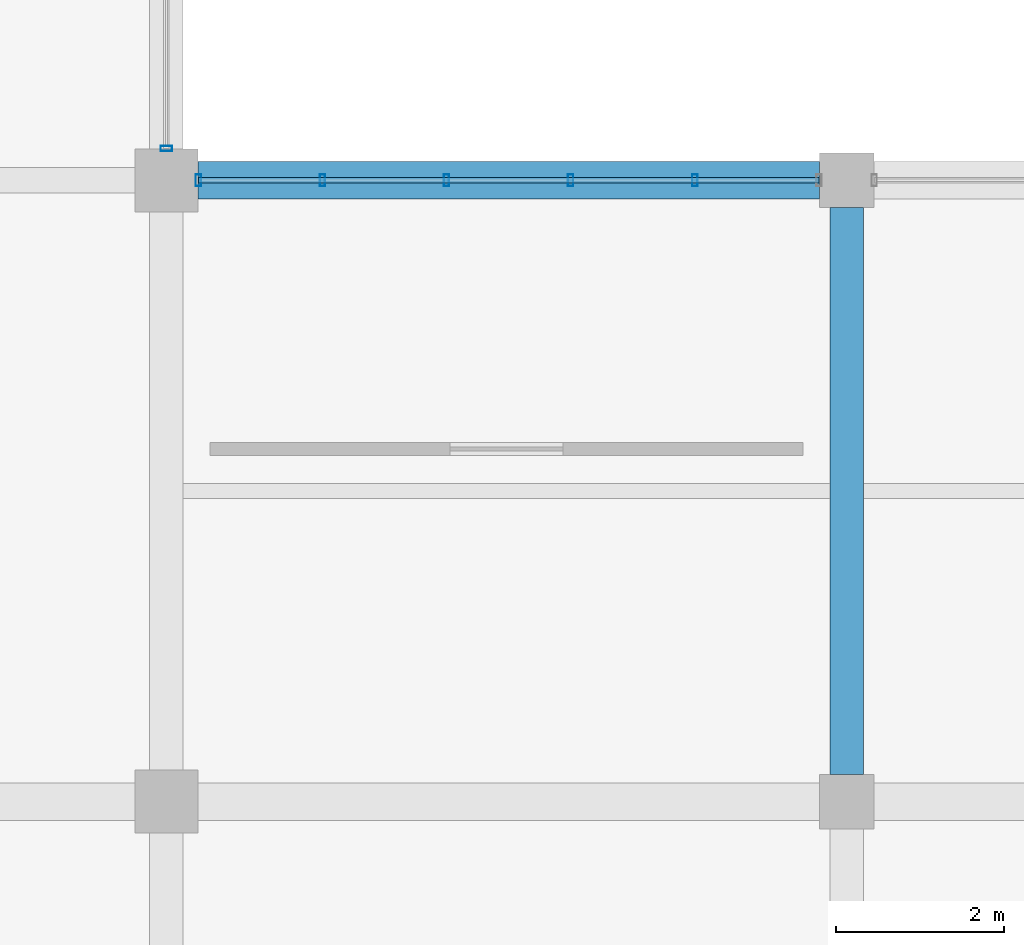
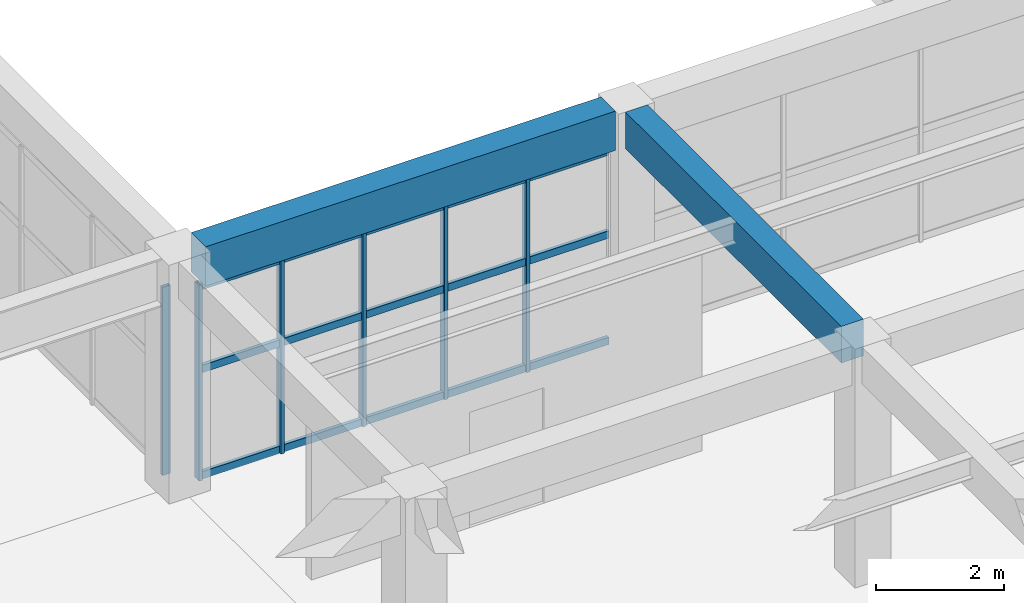
# One storey, part 53 of 161: 9 members, 2 beams, 2 elements without a shape of their own.
"""IFC4 building model written with IfcOpenShell, lengths in metres."""

from ifc_helpers import new_model, si_unit, direction, frame, origin, origin_2d, place, context, subcontext, project, spatial, rectangle, hollow_rectangle, extrude, material, material_profile, profile_set, type_object, element, aggregate, save


model = new_model("IFC4")

# Units and contexts
model_context = context("Model", 3, precision=1e-05, world=origin(), true_north=direction((0.0, 1.0)))
body_context = subcontext(model_context, "Body", "Model", "MODEL_VIEW")
ifc_project = project(units=[si_unit("LENGTHUNIT", "METRE"), si_unit("AREAUNIT", "SQUARE_METRE"), si_unit("VOLUMEUNIT", "CUBIC_METRE"), si_unit("PLANEANGLEUNIT", "RADIAN"), si_unit("MASSUNIT", "GRAM", prefix="KILO")], contexts=[model_context])

# Site, building, storey
site_placement = place(None, origin())
site = spatial("IfcSite", under=ifc_project, at=site_placement, CompositionType="ELEMENT")
building_placement = place(site_placement, origin())
building = spatial("IfcBuilding", under=site, at=building_placement, Name="Cimatlan Art Gallery", CompositionType="ELEMENT")
storey_placement = place(building_placement, frame((0.0, 0.0, 5.39990234375)))
storey = spatial("IfcBuildingStorey", under=building, at=storey_placement, Name="L01", CompositionType="ELEMENT", Elevation=5.39990234375)

# Beams
ifc_material_1 = material(Name="Concrete C40/50", Category="concrete")
ifc_material_profile_1 = material_profile(ifc_material_1, rectangle(XDim=0.39990234375, YDim=0.699951171875, at=origin_2d()), Name="RC400X700")
ifc_profile_set_1 = profile_set([ifc_material_profile_1], Name="Concrete C40/50")
beam_type_1 = type_object("IfcBeamType", Name="BM-RC-400X700", PredefinedType="BEAM", material=ifc_profile_set_1)
beam_1_placement = place(storey_placement, frame((107.300048828125, 31.625, 4.210205078125), z_axis=(0.0, 1.0, 0.0), x_axis=(-1.0, 0.0, 0.0)))
element("IfcBeam", 1, at=beam_1_placement, inside=storey, type_object=beam_type_1, Name="BM-Y-L01-13-04", PredefinedType="BEAM", context=body_context, shape_type="SweptSolid", body=[
    extrude(rectangle(XDim=0.39990234375, YDim=0.699951171875, at=origin_2d()), origin(), (0.0, 0.0, 1.0), 6.75),
])
ifc_material_profile_2 = material_profile(ifc_material_1, rectangle(XDim=0.449951171875, YDim=0.75, at=origin_2d()), Name="RC450X750")
ifc_profile_set_2 = profile_set([ifc_material_profile_2], Name="Concrete C40/50")
beam_type_2 = type_object("IfcBeamType", Name="BM-RC-450X750", PredefinedType="BEAM", material=ifc_profile_set_2)
beam_2_placement = place(storey_placement, frame((99.574951171875, 38.699951171875, 4.18505859375), z_axis=(1.0, 0.0, 0.0), x_axis=(0.0, 1.0, 0.0)))
element("IfcBeam", 2, at=beam_2_placement, inside=storey, type_object=beam_type_2, Name="BM-X-L01-12-05", PredefinedType="BEAM", context=body_context, shape_type="SweptSolid", body=[
    extrude(rectangle(XDim=0.449951171875, YDim=0.75, at=origin_2d()), origin(), (0.0, 0.0, 1.0), 7.400146484375),
])

# Curtain wall, member
ifc_material_2 = material(Name="Anodised bronze unitised curtain wall")
curtain_wall_type_1 = type_object("IfcCurtainWallType", Name="CW-V-06642X03592-B3", PredefinedType="NOTDEFINED", material=ifc_material_2)
curtain_wall_1_placement = place(storey_placement, origin())
curtain_wall_1 = element("IfcCurtainWall", 3, at=curtain_wall_1_placement, inside=storey, type_object=curtain_wall_type_1, Name="CW-L01-11-05-E", PredefinedType="NOTDEFINED")
ifc_material_3 = material(Name="Anodised bronze aluminium 6063-T6", Category="aluminium")
ifc_material_profile_3 = material_profile(ifc_material_3, hollow_rectangle(XDim=0.06494140625, YDim=0.139892578125, WallThickness=0.00390625, at=origin_2d()), Name="ALU65X140X4")
ifc_profile_set_3 = profile_set([ifc_material_profile_3], Name="Anodised bronze aluminium 6063-T6")
member_type_1 = type_object("IfcMemberType", Name="CW-MUL-140", PredefinedType="MULLION", material=ifc_profile_set_3)
member_1_placement = place(storey_placement, frame((99.199951171875, 39.0791015625, 0.0), z_axis=(0.0, 0.0, 1.0), x_axis=(0.0, 1.0, 0.0)))
member_1 = element("IfcMember", 4, at=member_1_placement, type_object=member_type_1, Name="CW-L01-11-05-E-M4", PredefinedType="MULLION", context=body_context, shape_type="SweptSolid", body=[
    extrude(hollow_rectangle(XDim=0.06494140625, YDim=0.139892578125, WallThickness=0.00390625, at=origin_2d()), origin(), (0.0, 0.0, 1.0), 3.592041015625),
])
aggregate(curtain_wall_1, [member_1])

# Curtain wall, members
curtain_wall_type_2 = type_object("IfcCurtainWallType", Name="CW-V-07392X03735-B5", PredefinedType="NOTDEFINED", material=ifc_material_2)
curtain_wall_2_placement = place(storey_placement, origin())
curtain_wall_2 = element("IfcCurtainWall", 5, at=curtain_wall_2_placement, inside=storey, type_object=curtain_wall_type_2, Name="CW-L01-12-04-N", PredefinedType="NOTDEFINED")
member_2_placement = place(storey_placement, frame((99.5791015625, 38.699951171875, 0.0), z_axis=(0.0, 0.0, 1.0), x_axis=(1.0, 0.0, 0.0)))
member_2 = element("IfcMember", 6, at=member_2_placement, type_object=member_type_1, Name="CW-L01-12-04-N-M1", PredefinedType="MULLION", context=body_context, shape_type="SweptSolid", body=[
    extrude(hollow_rectangle(XDim=0.06494140625, YDim=0.139892578125, WallThickness=0.00390625, at=origin_2d()), origin(), (0.0, 0.0, 1.0), 3.735107421875),
])
member_3_placement = place(storey_placement, frame((101.057373046875, 38.699951171875, 0.0), z_axis=(0.0, 0.0, 1.0), x_axis=(1.0, 0.0, 0.0)))
member_3 = element("IfcMember", 7, at=member_3_placement, type_object=member_type_1, Name="CW-L01-12-04-N-M2", PredefinedType="MULLION", context=body_context, shape_type="SweptSolid", body=[
    extrude(hollow_rectangle(XDim=0.06494140625, YDim=0.139892578125, WallThickness=0.00390625, at=origin_2d()), origin(), (0.0, 0.0, 1.0), 3.735107421875),
])
member_4_placement = place(storey_placement, frame((102.535888671875, 38.699951171875, 0.0), z_axis=(0.0, 0.0, 1.0), x_axis=(1.0, 0.0, 0.0)))
member_4 = element("IfcMember", 8, at=member_4_placement, type_object=member_type_1, Name="CW-L01-12-04-N-M3", PredefinedType="MULLION", context=body_context, shape_type="SweptSolid", body=[
    extrude(hollow_rectangle(XDim=0.06494140625, YDim=0.139892578125, WallThickness=0.00390625, at=origin_2d()), origin(), (0.0, 0.0, 1.0), 3.735107421875),
])
member_5_placement = place(storey_placement, frame((104.01416015625, 38.699951171875, 0.0), z_axis=(0.0, 0.0, 1.0), x_axis=(1.0, 0.0, 0.0)))
member_5 = element("IfcMember", 9, at=member_5_placement, type_object=member_type_1, Name="CW-L01-12-04-N-M4", PredefinedType="MULLION", context=body_context, shape_type="SweptSolid", body=[
    extrude(hollow_rectangle(XDim=0.06494140625, YDim=0.139892578125, WallThickness=0.00390625, at=origin_2d()), origin(), (0.0, 0.0, 1.0), 3.735107421875),
])
member_6_placement = place(storey_placement, frame((105.49267578125, 38.699951171875, 0.0), z_axis=(0.0, 0.0, 1.0), x_axis=(1.0, 0.0, 0.0)))
member_6 = element("IfcMember", 10, at=member_6_placement, type_object=member_type_1, Name="CW-L01-12-04-N-M5", PredefinedType="MULLION", context=body_context, shape_type="SweptSolid", body=[
    extrude(hollow_rectangle(XDim=0.06494140625, YDim=0.139892578125, WallThickness=0.00390625, at=origin_2d()), origin(), (0.0, 0.0, 1.0), 3.735107421875),
])
ifc_material_profile_4 = material_profile(ifc_material_3, hollow_rectangle(XDim=0.06494140625, YDim=0.139892578125, WallThickness=0.00390625, at=origin_2d()), Name="ALU65X140X4")
ifc_profile_set_4 = profile_set([ifc_material_profile_4], Name="Anodised bronze aluminium 6063-T6")
member_type_2 = type_object("IfcMemberType", Name="CW-TRN-140", PredefinedType="USERDEFINED", material=ifc_profile_set_4)
member_7_placement = place(storey_placement, frame((99.5791015625, 38.699951171875, 0.06005859375), z_axis=(1.0, 0.0, 0.0), x_axis=(0.0, 1.0, 0.0)))
member_7 = element("IfcMember", 11, at=member_7_placement, type_object=member_type_2, Name="CW-L01-12-04-N-T1", ObjectType="TRANSOM", PredefinedType="USERDEFINED", context=body_context, shape_type="SweptSolid", body=[
    extrude(hollow_rectangle(XDim=0.06494140625, YDim=0.139892578125, WallThickness=0.00390625, at=origin_2d()), origin(), (0.0, 0.0, 1.0), 7.391845703125),
])
member_8_placement = place(storey_placement, frame((99.5791015625, 38.699951171875, 2.091796875), z_axis=(1.0, 0.0, 0.0), x_axis=(0.0, 1.0, 0.0)))
member_8 = element("IfcMember", 12, at=member_8_placement, type_object=member_type_2, Name="CW-L01-12-04-N-T2", ObjectType="TRANSOM", PredefinedType="USERDEFINED", context=body_context, shape_type="SweptSolid", body=[
    extrude(hollow_rectangle(XDim=0.06494140625, YDim=0.139892578125, WallThickness=0.00390625, at=origin_2d()), origin(), (0.0, 0.0, 1.0), 7.391845703125),
])
member_9_placement = place(storey_placement, frame((99.5791015625, 38.699951171875, 3.675048828125), z_axis=(1.0, 0.0, 0.0), x_axis=(0.0, 1.0, 0.0)))
member_9 = element("IfcMember", 13, at=member_9_placement, type_object=member_type_2, Name="CW-L01-12-04-N-T3", ObjectType="TRANSOM", PredefinedType="USERDEFINED", context=body_context, shape_type="SweptSolid", body=[
    extrude(hollow_rectangle(XDim=0.06494140625, YDim=0.139892578125, WallThickness=0.00390625, at=origin_2d()), origin(), (0.0, 0.0, 1.0), 7.391845703125),
])
aggregate(curtain_wall_2, [member_2, member_3, member_4, member_5, member_6, member_7, member_8, member_9])

save(model, "model.ifc")
